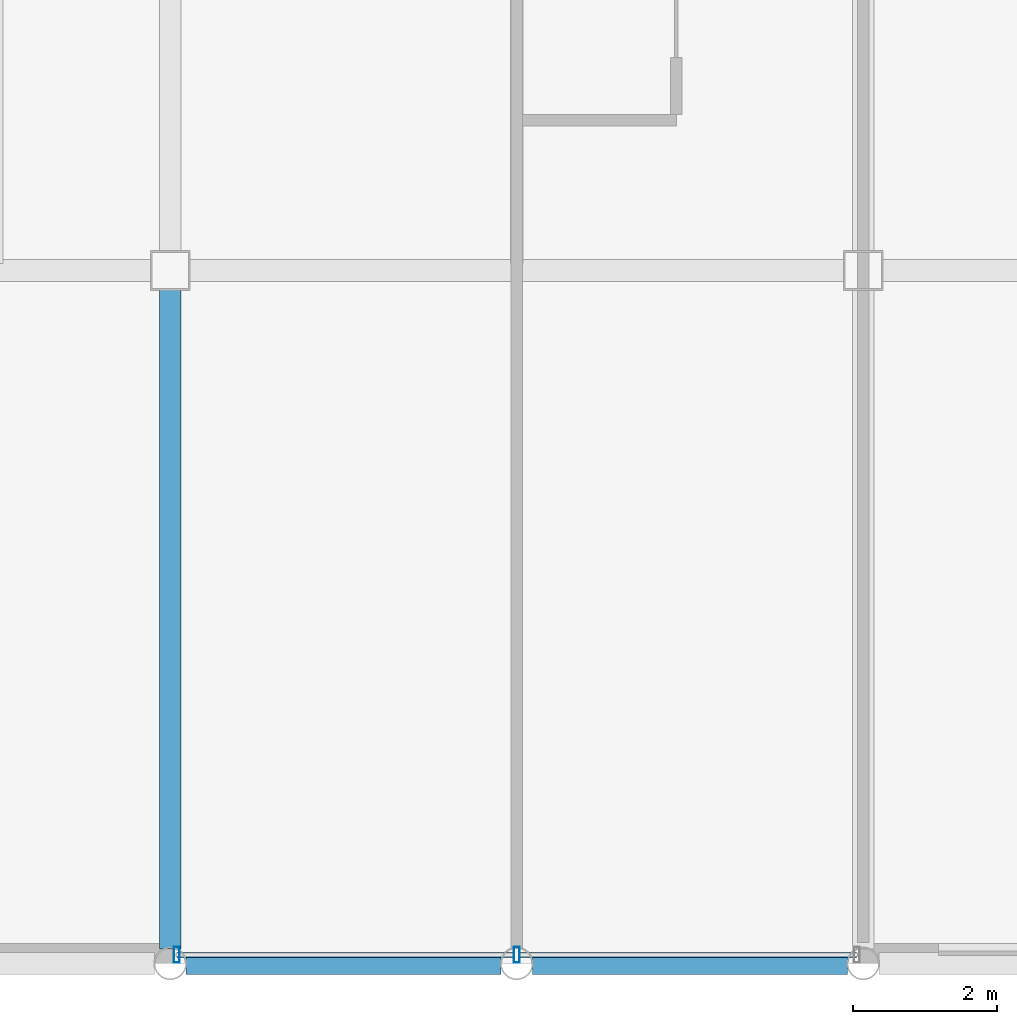
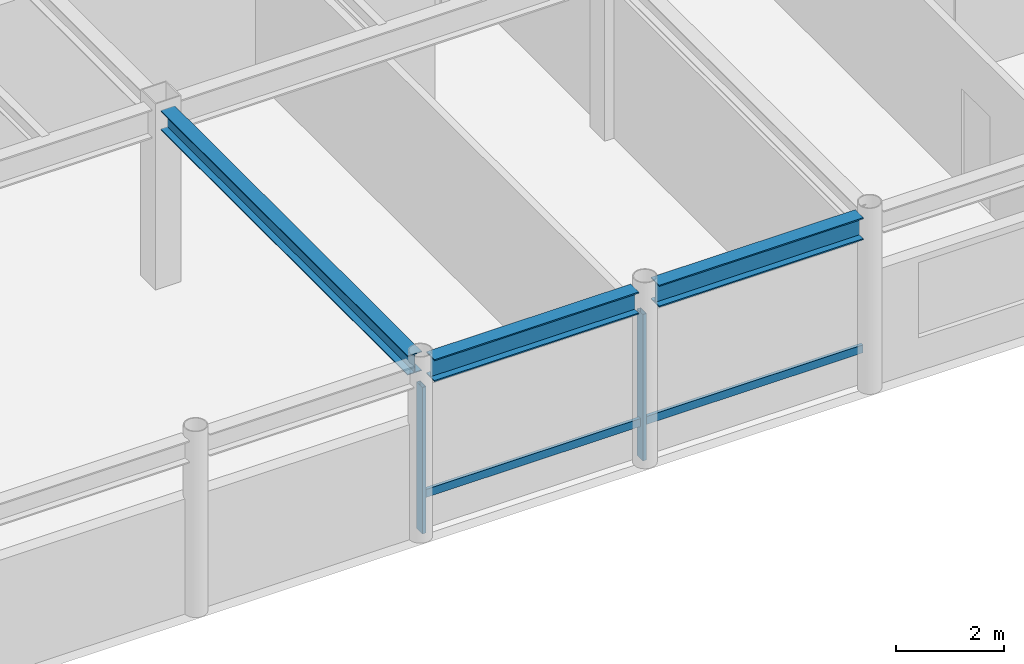
# One storey, part 5 of 21: 4 members, 3 beams, 1 element without a shape of its own.
"""IFC4 building model written with IfcOpenShell, lengths in metres."""

from ifc_helpers import new_model, si_unit, direction, frame, origin, origin_2d, place, context, subcontext, project, spatial, hollow_rectangle, i_section, extrude, material, layer, layer_set, material_profile, profile_set, type_object, element, aggregate, save


model = new_model("IFC4")

# Units and contexts
model_context = context("Model", 3, precision=1e-05, world=origin(), true_north=direction((0.0, 1.0)))
body_context = subcontext(model_context, "Body", "Model", "MODEL_VIEW")
ifc_project = project(units=[si_unit("LENGTHUNIT", "METRE"), si_unit("AREAUNIT", "SQUARE_METRE"), si_unit("VOLUMEUNIT", "CUBIC_METRE"), si_unit("PLANEANGLEUNIT", "RADIAN"), si_unit("MASSUNIT", "GRAM", prefix="KILO")], contexts=[model_context])

# Site, building, storey
site_placement = place(None, origin())
site = spatial("IfcSite", under=ifc_project, at=site_placement, CompositionType="ELEMENT")
building_placement = place(site_placement, origin())
building = spatial("IfcBuilding", under=site, at=building_placement, Name="Kallvorn Hotel Tower", CompositionType="ELEMENT")
storey_placement = place(building_placement, frame((0.0, 0.0, 286.39990234375)))
storey = spatial("IfcBuildingStorey", under=building, at=storey_placement, Name="L71", CompositionType="ELEMENT", Elevation=286.39990234375)

# Beams
ifc_material_1 = material(Name="Structural steel S355JR", Category="steel")
ifc_material_profile_1 = material_profile(ifc_material_1, i_section(OverallWidth=0.300048828125, OverallDepth=0.43994140625, WebThickness=0.011474609375, FlangeThickness=0.02099609375, at=origin_2d()), Name="HE 450 A")
ifc_profile_set_1 = profile_set([ifc_material_profile_1], Name="Structural steel S355JR")
beam_type_1 = type_object("IfcBeamType", Name="BM_HE450A", PredefinedType="BEAM", material=ifc_profile_set_1)
beam_placement = place(storey_placement, frame((-4.800048828125, -23.79638671875, 3.780029296875), z_axis=(0.0, 1.0, 0.0), x_axis=(-1.0, 0.0, 0.0)))
element("IfcBeam", 1, at=beam_placement, inside=storey, type_object=beam_type_1, Name="L72 Primary Y-Girder 37", PredefinedType="BEAM", context=body_context, shape_type="SweptSolid", body=[
    extrude(i_section(OverallWidth=0.300048828125, OverallDepth=0.43994140625, WebThickness=0.011474609375, FlangeThickness=0.02099609375, at=origin_2d()), origin(), (0.0, 0.0, 1.0), 9.146484375),
])
ifc_material_2 = material(Name="Structural steel S355JR", Category="steel")
ifc_material_profile_2 = material_profile(ifc_material_2, i_section(OverallWidth=0.300048828125, OverallDepth=0.5, WebThickness=0.014404296875, FlangeThickness=0.028076171875, at=origin_2d()), Name="HE 500 B")
ifc_profile_set_2 = profile_set([ifc_material_profile_2], Name="Structural steel S355JR")
beam_type_2 = type_object("IfcBeamType", Name="BM_HE500B", PredefinedType="SPANDREL", material=ifc_profile_set_2)
for number, where, z_axis, x_axis, name in (
    (2, (-4.58154296875, -24.0, 3.75), (1.0, 0.0, 0.0), (0.0, 1.0, 0.0), "L72 Perimeter Spandrel 58"),
    (3, (0.218505859375, -24.0, 3.75), (1.0, 0.0, 0.0), (0.0, 1.0, 0.0), "L72 Perimeter Spandrel 59"),
):
    element("IfcBeam", number, at=place(storey_placement, frame(where, z_axis=z_axis, x_axis=x_axis)), inside=storey, type_object=beam_type_2, Name=name, PredefinedType="SPANDREL", context=body_context, shape_type="SweptSolid", body=[
        extrude(i_section(OverallWidth=0.300048828125, OverallDepth=0.5, WebThickness=0.014404296875, FlangeThickness=0.028076171875, at=origin_2d()), origin(), (0.0, 0.0, 1.0), 4.363037109375),
    ])

# Curtain wall, members
ifc_material_3 = material(Name="Thermally broken black-anodised aluminium AA 6063-T6", Category="aluminium")
ifc_layer = layer(ifc_material_3, 0.25)
ifc_layer_set = layer_set([ifc_layer], Name="CW_SYS_6_SUMMIT_OBS")
curtain_wall_type = type_object("IfcCurtainWallType", Name="CW_SYS_6_SUMMIT_OBS", PredefinedType="USERDEFINED", material=ifc_layer_set)
curtain_wall_placement = place(storey_placement, origin())
curtain_wall = element("IfcCurtainWall", 4, at=curtain_wall_placement, inside=storey, type_object=curtain_wall_type, Name="L71 Dark-Glass Curtain Wall CW-L71-SC", ObjectType="UNITISED CURTAIN WALL", PredefinedType="USERDEFINED")
ifc_material_4 = material(Name="Thermally broken black-anodised aluminium AA 6063-T6", Category="aluminium")
ifc_material_profile_3 = material_profile(ifc_material_4, hollow_rectangle(XDim=0.080078125, YDim=0.219970703125, WallThickness=0.0048828125, at=origin_2d()), Name="MUL 220x80")
ifc_profile_set_3 = profile_set([ifc_material_profile_3], Name="Thermally broken black-anodised aluminium AA 6063-T6")
member_type_1 = type_object("IfcMemberType", Name="CW_MULLION_220x80", PredefinedType="MULLION", material=ifc_profile_set_3)
member_1_placement = place(storey_placement, frame((-4.7099609375, -23.8798828125, 0.02001953125), z_axis=(0.0, 0.0, 1.0), x_axis=(1.0, 0.0, 0.0)))
member_1 = element("IfcMember", 5, at=member_1_placement, type_object=member_type_1, Name="CW-L71-SC Mullion 00", PredefinedType="MULLION", context=body_context, shape_type="SweptSolid", body=[
    extrude(hollow_rectangle(XDim=0.080078125, YDim=0.219970703125, WallThickness=0.0048828125, at=origin_2d()), origin(), (0.0, 0.0, 1.0), 3.31005859375),
])
member_2_placement = place(storey_placement, frame((0.0, -23.8798828125, 0.02001953125), z_axis=(0.0, 0.0, 1.0), x_axis=(1.0, 0.0, 0.0)))
member_2 = element("IfcMember", 6, at=member_2_placement, type_object=member_type_1, Name="CW-L71-SC Mullion 01", PredefinedType="MULLION", context=body_context, shape_type="SweptSolid", body=[
    extrude(hollow_rectangle(XDim=0.080078125, YDim=0.219970703125, WallThickness=0.0048828125, at=origin_2d()), origin(), (0.0, 0.0, 1.0), 3.31005859375),
])
ifc_material_5 = material(Name="Thermally broken black-anodised aluminium AA 6063-T6", Category="aluminium")
ifc_material_profile_4 = material_profile(ifc_material_5, hollow_rectangle(XDim=0.070068359375, YDim=0.179931640625, WallThickness=0.00390625, at=origin_2d()), Name="TRN 180x70")
ifc_profile_set_4 = profile_set([ifc_material_profile_4], Name="Thermally broken black-anodised aluminium AA 6063-T6")
member_type_2 = type_object("IfcMemberType", Name="CW_TRANSOM_180x70", PredefinedType="USERDEFINED", material=ifc_profile_set_4)
member_3_placement = place(storey_placement, frame((-4.7099609375, -23.8798828125, 0.85009765625), z_axis=(1.0, 0.0, 0.0), x_axis=(0.0, 1.0, 0.0)))
member_3 = element("IfcMember", 7, at=member_3_placement, type_object=member_type_2, Name="CW-L71-SC Transom 00M", ObjectType="TRANSOM", PredefinedType="USERDEFINED", context=body_context, shape_type="SweptSolid", body=[
    extrude(hollow_rectangle(XDim=0.070068359375, YDim=0.179931640625, WallThickness=0.00390625, at=origin_2d()), origin(), (0.0, 0.0, 1.0), 4.669921875),
])
member_4_placement = place(storey_placement, frame((0.0400390625, -23.8798828125, 0.85009765625), z_axis=(1.0, 0.0, 0.0), x_axis=(0.0, 1.0, 0.0)))
member_4 = element("IfcMember", 8, at=member_4_placement, type_object=member_type_2, Name="CW-L71-SC Transom 01M", ObjectType="TRANSOM", PredefinedType="USERDEFINED", context=body_context, shape_type="SweptSolid", body=[
    extrude(hollow_rectangle(XDim=0.070068359375, YDim=0.179931640625, WallThickness=0.00390625, at=origin_2d()), origin(), (0.0, 0.0, 1.0), 4.669921875),
])
aggregate(curtain_wall, [member_1, member_2, member_3, member_4])

save(model, "model.ifc")
